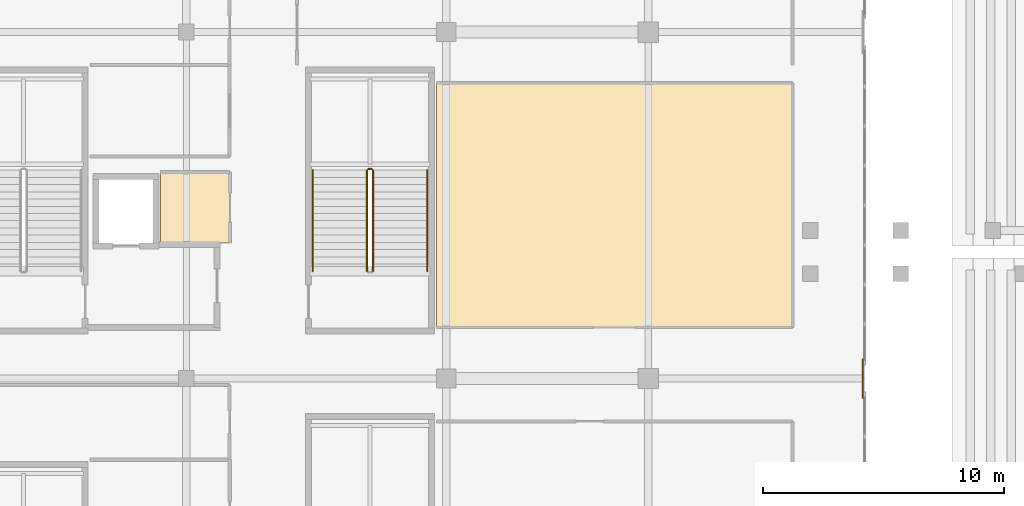
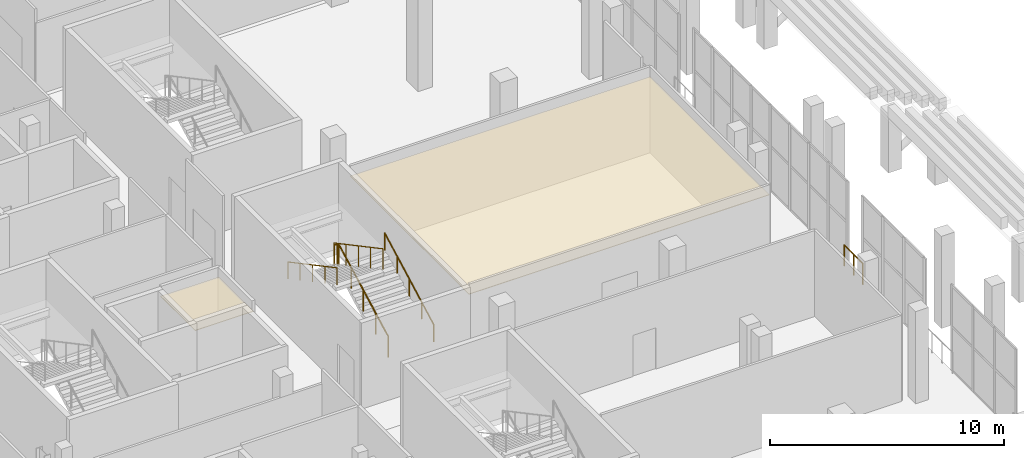
# One storey, part 122 of 142: 7 railings, 2 coverings.
"""IFC4 building model written with IfcOpenShell, lengths in metres."""

from ifc_helpers import new_model, si_unit, direction, frame, origin, origin_2d, place, context, subcontext, project, spatial, polyline, circle, outline, extrude, material, layer, layer_set, type_object, element, save


model = new_model("IFC4")

# Units and contexts
model_context = context("Model", 3, precision=1e-05, world=origin(), true_north=direction((0.0, 1.0)))
body_context = subcontext(model_context, "Body", "Model", "MODEL_VIEW")
ifc_project = project(units=[si_unit("LENGTHUNIT", "METRE"), si_unit("AREAUNIT", "SQUARE_METRE"), si_unit("VOLUMEUNIT", "CUBIC_METRE"), si_unit("PLANEANGLEUNIT", "RADIAN"), si_unit("MASSUNIT", "GRAM", prefix="KILO")], contexts=[model_context])

# Site, building, storey
site_placement = place(None, origin())
site = spatial("IfcSite", under=ifc_project, at=site_placement, CompositionType="ELEMENT")
building_placement = place(site_placement, origin())
building = spatial("IfcBuilding", under=site, at=building_placement, Name="Koshinbarg Plaza Stadium", CompositionType="ELEMENT")
storey_placement = place(building_placement, frame((0.0, 0.0, 10.199951171875)))
storey = spatial("IfcBuildingStorey", under=building, at=storey_placement, Name="L02", CompositionType="ELEMENT", Elevation=10.199951171875)

# Coverings
ifc_material_1 = material(Name="Perforated gypsum acoustic ceiling board")
ifc_layer = layer(ifc_material_1, 0.030029296875)
ifc_layer_set = layer_set([ifc_layer], Name="Perforated gypsum acoustic ceiling board")
covering_type = type_object("IfcCoveringType", Name="COV-CEIL-01", PredefinedType="CEILING", material=ifc_layer_set)
covering_1_placement = place(storey_placement, frame((0.0, 0.0, 3.89013671875)))
element("IfcCovering", 1, at=covering_1_placement, inside=storey, type_object=covering_type, Name="L02 VIP Hospitality Suite acoustic ceiling 022", PredefinedType="CEILING", context=body_context, shape_type="SweptSolid", body=[
    extrude(outline(polyline([(34.330078125, 88.72998046875), (37.199951171875, 88.72998046875), (37.199951171875, 91.679931640625), (34.330078125, 91.679931640625), (34.330078125, 88.72998046875)])), origin(), (0.0, 0.0, 1.0), 0.030029296875),
])
covering_2_placement = place(storey_placement, frame((0.0, 0.0, 3.89013671875)))
element("IfcCovering", 2, at=covering_2_placement, inside=storey, type_object=covering_type, Name="L02 Presidential Club Lounge acoustic ceiling 023", PredefinedType="CEILING", context=body_context, shape_type="SweptSolid", body=[
    extrude(outline(polyline([(45.800048828125, 85.22998046875), (60.60009765625, 85.22998046875), (60.60009765625, 95.381103515625), (45.800048828125, 95.381103515625), (45.800048828125, 85.22998046875)])), origin(), (0.0, 0.0, 1.0), 0.030029296875),
])

# Railings
ifc_material_2 = material(Name="Toughened laminated glass and stainless steel sightline balustrade", Category="steel")
railing_type_1 = type_object("IfcRailingType", Name="RL-BOWL-1100", PredefinedType="BALUSTRADE", material=ifc_material_2)
railing_1_placement = place(storey_placement, frame((63.52001953125, 83.10009765625, 0.0)))
element("IfcRailing", 3, at=railing_1_placement, inside=storey, type_object=railing_type_1, Name="L02 deck edge safety balustrade 0118", PredefinedType="BALUSTRADE", context=body_context, shape_type="SweptSolid", body=[
    extrude(circle(Radius=0.02392578125, at=origin_2d()), frame((0.0, 0.0, 1.076171875), z_axis=(0.0, -1.0, 0.0), x_axis=(1.0, 0.0, 0.0)), (0.0, 0.0, 1.0), 0.800048828125),
    extrude(circle(Radius=0.02099609375, at=origin_2d()), origin(), (0.0, 0.0, 1.0), 1.052001953125),
    extrude(circle(Radius=0.02099609375, at=origin_2d()), frame((0.0, -0.800048828125, 0.0)), (0.0, 0.0, 1.0), 1.052001953125),
])
railing_2_placement = place(storey_placement, frame((63.52001953125, 83.89697265625, 0.0)))
element("IfcRailing", 4, at=railing_2_placement, inside=storey, type_object=railing_type_1, Name="L02 deck edge safety balustrade 0125", PredefinedType="BALUSTRADE", context=body_context, shape_type="SweptSolid", body=[
    extrude(circle(Radius=0.02392578125, at=origin_2d()), frame((0.0, 0.0, 1.076171875), z_axis=(0.0, -1.0, 0.0), x_axis=(1.0, 0.0, 0.0)), (0.0, 0.0, 1.0), 0.796875),
    extrude(circle(Radius=0.02099609375, at=origin_2d()), origin(), (0.0, 0.0, 1.0), 1.052001953125),
    extrude(circle(Radius=0.02099609375, at=origin_2d()), frame((0.0, -0.796875, 0.0)), (0.0, 0.0, 1.0), 1.052001953125),
])
ifc_material_3 = material(Name="Galvanized painted steel guardrail", Category="steel")
railing_type_2 = type_object("IfcRailingType", Name="RL-GUARD-1100", PredefinedType="GUARDRAIL", material=ifc_material_3)
railing_3_placement = place(storey_placement, frame((43.159912109375, 87.56005859375, 0.16015625)))
element("IfcRailing", 5, at=railing_3_placement, inside=storey, type_object=railing_type_2, Name="L02 VX05 stair guard 1", PredefinedType="GUARDRAIL", context=body_context, shape_type="SweptSolid", body=[
    extrude(circle(Radius=0.02392578125, at=origin_2d()), frame((0.0, 0.0, 1.076171875), z_axis=(0.0, 0.882351521365, 0.470590897432), x_axis=(-1.0, 0.0, 0.0)), (0.0, 0.0, 1.0), 4.760009765625),
    extrude(circle(Radius=0.02099609375, at=origin_2d()), origin(), (0.0, 0.0, 1.0), 1.052001953125),
    extrude(circle(Radius=0.02099609375, at=origin_2d()), frame((0.0, 1.050048828125, 0.56005859375)), (0.0, 0.0, 1.0), 1.052001953125),
    extrude(circle(Radius=0.02099609375, at=origin_2d()), frame((0.0, 2.10009765625, 1.1201171875)), (0.0, 0.0, 1.0), 1.052001953125),
    extrude(circle(Radius=0.02099609375, at=origin_2d()), frame((0.0, 3.14990234375, 1.679931640625)), (0.0, 0.0, 1.0), 1.052001953125),
    extrude(circle(Radius=0.02099609375, at=origin_2d()), frame((0.0, 4.199951171875, 2.239990234375)), (0.0, 0.0, 1.0), 1.052001953125),
])
railing_4_placement = place(storey_placement, frame((43.110107421875, 91.81005859375, 2.400146484375)))
element("IfcRailing", 6, at=railing_4_placement, inside=storey, type_object=railing_type_2, Name="L02 VX05 stair guard 2", PredefinedType="GUARDRAIL", context=body_context, shape_type="SweptSolid", body=[
    extrude(circle(Radius=0.02392578125, at=origin_2d()), frame((0.0, 0.0, 1.076171875), z_axis=(-1.0, 0.0, 0.0), x_axis=(0.0, -1.0, 0.0)), (0.0, 0.0, 1.0), 0.150146484375),
    extrude(circle(Radius=0.02099609375, at=origin_2d()), origin(), (0.0, 0.0, 1.0), 1.052001953125),
    extrude(circle(Radius=0.02099609375, at=origin_2d()), frame((-0.150146484375, 0.0, 0.0)), (0.0, 0.0, 1.0), 1.052001953125),
])
railing_5_placement = place(storey_placement, frame((42.909912109375, 91.760009765625, 2.56005859375)))
element("IfcRailing", 7, at=railing_5_placement, inside=storey, type_object=railing_type_2, Name="L02 VX05 stair guard 3", PredefinedType="GUARDRAIL", context=body_context, shape_type="SweptSolid", body=[
    extrude(circle(Radius=0.02392578125, at=origin_2d()), frame((0.0, 0.0, 1.076171875), z_axis=(0.0, -0.882351521365, 0.470590897432), x_axis=(1.0, 0.0, 0.0)), (0.0, 0.0, 1.0), 4.760009765625),
    extrude(circle(Radius=0.02099609375, at=origin_2d()), origin(), (0.0, 0.0, 1.0), 1.052001953125),
    extrude(circle(Radius=0.02099609375, at=origin_2d()), frame((0.0, -1.050048828125, 0.56005859375)), (0.0, 0.0, 1.0), 1.052001953125),
    extrude(circle(Radius=0.02099609375, at=origin_2d()), frame((0.0, -2.10009765625, 1.1201171875)), (0.0, 0.0, 1.0), 1.052001953125),
    extrude(circle(Radius=0.02099609375, at=origin_2d()), frame((0.0, -3.14990234375, 1.679931640625)), (0.0, 0.0, 1.0), 1.052001953125),
    extrude(circle(Radius=0.02099609375, at=origin_2d()), frame((0.0, -4.199951171875, 2.239990234375)), (0.0, 0.0, 1.0), 1.052001953125),
])
ifc_material_4 = material(Name="Brushed stainless steel handrail", Category="steel")
railing_type_3 = type_object("IfcRailingType", Name="RL-HAND-900", PredefinedType="HANDRAIL", material=ifc_material_4)
railing_6_placement = place(storey_placement, frame((45.419921875, 87.56005859375, 0.16015625)))
element("IfcRailing", 8, at=railing_6_placement, inside=storey, type_object=railing_type_3, Name="L02 VX05 stair handrail 1", PredefinedType="HANDRAIL", context=body_context, shape_type="SweptSolid", body=[
    extrude(circle(Radius=0.02392578125, at=origin_2d()), frame((0.0, 0.0, 0.8759765625), z_axis=(0.0, 0.882351521365, 0.470590897432), x_axis=(-1.0, 0.0, 0.0)), (0.0, 0.0, 1.0), 4.760009765625),
    extrude(circle(Radius=0.02099609375, at=origin_2d()), origin(), (0.0, 0.0, 1.0), 0.851806640625),
    extrude(circle(Radius=0.02099609375, at=origin_2d()), frame((0.0, 1.050048828125, 0.56005859375)), (0.0, 0.0, 1.0), 0.851806640625),
    extrude(circle(Radius=0.02099609375, at=origin_2d()), frame((0.0, 2.10009765625, 1.1201171875)), (0.0, 0.0, 1.0), 0.851806640625),
    extrude(circle(Radius=0.02099609375, at=origin_2d()), frame((0.0, 3.14990234375, 1.679931640625)), (0.0, 0.0, 1.0), 0.851806640625),
    extrude(circle(Radius=0.02099609375, at=origin_2d()), frame((0.0, 4.199951171875, 2.239990234375)), (0.0, 0.0, 1.0), 0.851806640625),
])
railing_7_placement = place(storey_placement, frame((40.64990234375, 91.760009765625, 2.56005859375)))
element("IfcRailing", 9, at=railing_7_placement, inside=storey, type_object=railing_type_3, Name="L02 VX05 stair handrail 2", PredefinedType="HANDRAIL", context=body_context, shape_type="SweptSolid", body=[
    extrude(circle(Radius=0.02392578125, at=origin_2d()), frame((0.0, 0.0, 0.8759765625), z_axis=(0.0, -0.882351521365, 0.470590897432), x_axis=(1.0, 0.0, 0.0)), (0.0, 0.0, 1.0), 4.760009765625),
    extrude(circle(Radius=0.02099609375, at=origin_2d()), origin(), (0.0, 0.0, 1.0), 0.851806640625),
    extrude(circle(Radius=0.02099609375, at=origin_2d()), frame((0.0, -1.050048828125, 0.56005859375)), (0.0, 0.0, 1.0), 0.851806640625),
    extrude(circle(Radius=0.02099609375, at=origin_2d()), frame((0.0, -2.10009765625, 1.1201171875)), (0.0, 0.0, 1.0), 0.851806640625),
    extrude(circle(Radius=0.02099609375, at=origin_2d()), frame((0.0, -3.14990234375, 1.679931640625)), (0.0, 0.0, 1.0), 0.851806640625),
    extrude(circle(Radius=0.02099609375, at=origin_2d()), frame((0.0, -4.199951171875, 2.239990234375)), (0.0, 0.0, 1.0), 0.851806640625),
])

save(model, "model.ifc")
